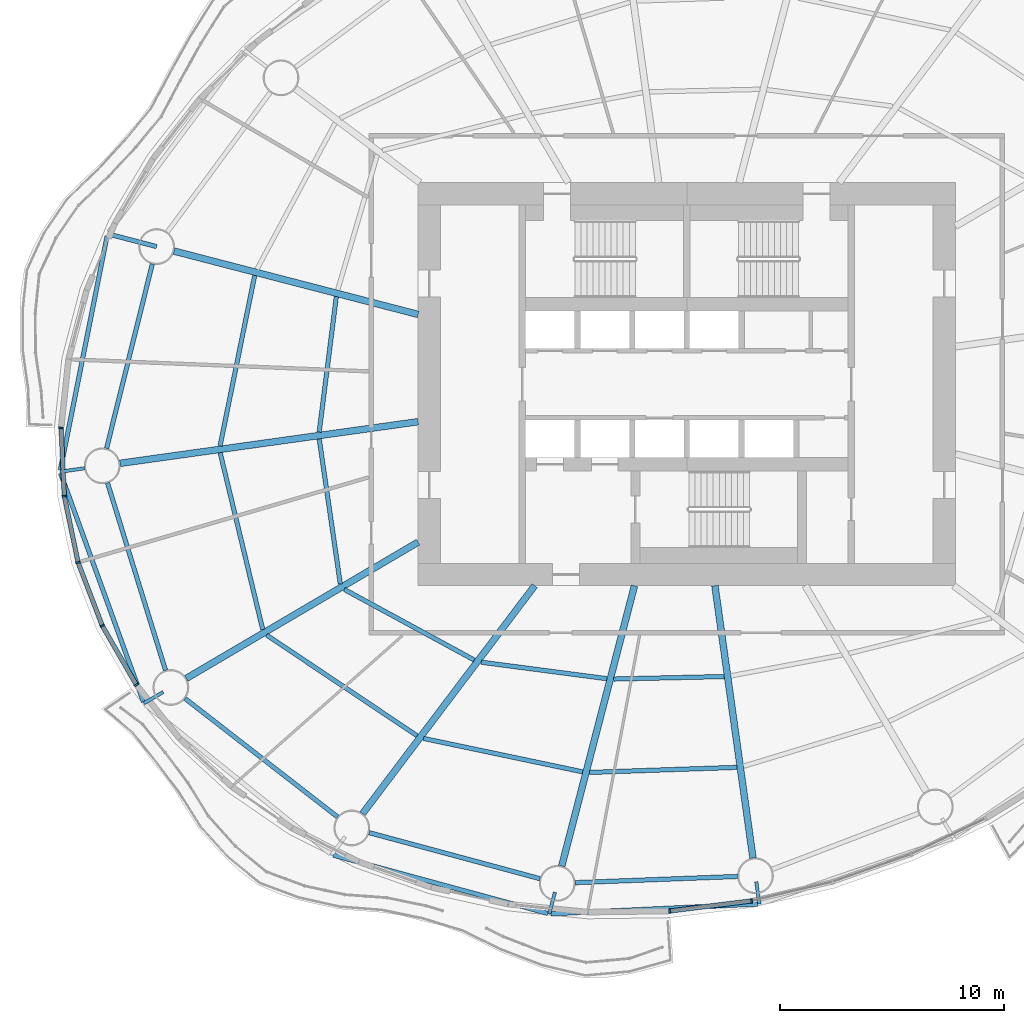
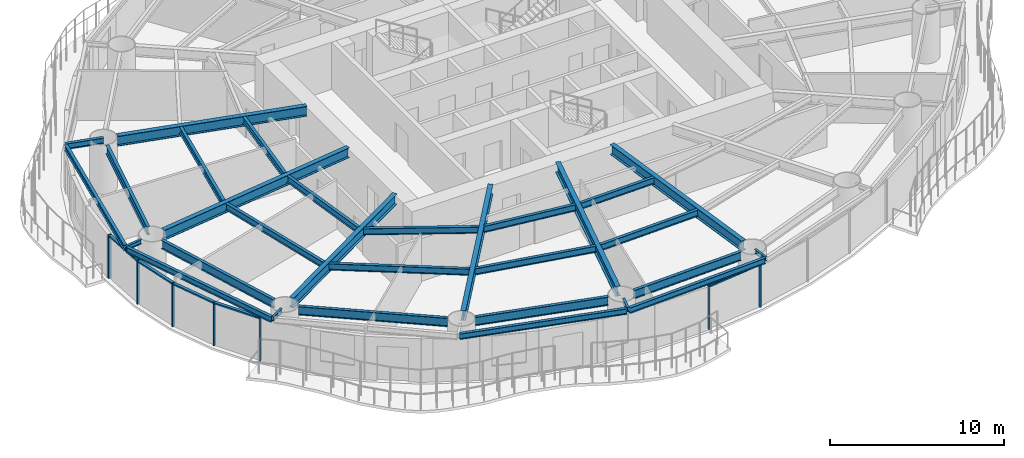
# One storey, part 2 of 16: 30 beams, 12 members, 6 elements without a shape of their own.
"""IFC4 building model written with IfcOpenShell, lengths in metres."""

from ifc_helpers import new_model, si_unit, direction, frame, origin, origin_2d, place, context, subcontext, project, spatial, rectangle, i_section, extrude, material, material_profile, profile_set, type_object, element, aggregate, save


model = new_model("IFC4")

# Units and contexts
model_context = context("Model", 3, precision=1e-05, world=origin(), true_north=direction((0.0, 1.0)))
body_context = subcontext(model_context, "Body", "Model", "MODEL_VIEW")
ifc_project = project(units=[si_unit("LENGTHUNIT", "METRE"), si_unit("AREAUNIT", "SQUARE_METRE"), si_unit("VOLUMEUNIT", "CUBIC_METRE"), si_unit("PLANEANGLEUNIT", "RADIAN"), si_unit("MASSUNIT", "GRAM", prefix="KILO")], contexts=[model_context])

# Site, building, storey
site_placement = place(None, origin())
site = spatial("IfcSite", under=ifc_project, at=site_placement, CompositionType="ELEMENT")
building_placement = place(site_placement, origin())
building = spatial("IfcBuilding", under=site, at=building_placement, Name="Vermilion Reach Broadcast Tower", CompositionType="ELEMENT")
storey_placement = place(building_placement, frame((0.0, 0.0, 99.39990234375)))
storey = spatial("IfcBuildingStorey", under=building, at=storey_placement, Name="L22", CompositionType="ELEMENT", Elevation=99.39990234375)

# Beams
ifc_material_1 = material(Name="Steel S355J2", Category="steel")
ifc_material_profile_1 = material_profile(ifc_material_1, i_section(OverallWidth=0.199951171875, OverallDepth=0.39990234375, WebThickness=0.008056640625, FlangeThickness=0.012939453125, at=origin_2d()), Name="S355J2 HN 400x200x8x13")
ifc_profile_set_1 = profile_set([ifc_material_profile_1], Name="Steel S355J2")
beam_type_1 = type_object("IfcBeamType", Name="EB2 HN 400x200x8x13", PredefinedType="BEAM", material=ifc_profile_set_1)
beam_1_placement = place(storey_placement, frame((-31.891845703125, 6.616943359375, 3.25), z_axis=(-0.195820891418, -0.980639678212, 0.0), x_axis=(0.980639678212, -0.195820891418, 0.0)))
element("IfcBeam", 1, at=beam_1_placement, inside=storey, type_object=beam_type_1, Name="Edge beam EB2-07", PredefinedType="BEAM", context=body_context, shape_type="SweptSolid", body=[
    extrude(i_section(OverallWidth=0.199951171875, OverallDepth=0.39990234375, WebThickness=0.008056640625, FlangeThickness=0.012939453125, at=origin_2d()), origin(), (0.0, 0.0, 1.0), 10.65478515625),
])
beam_2_placement = place(storey_placement, frame((-33.967529296875, -3.9814453125, 3.25), z_axis=(0.340702110411, -0.940171299265, 0.0), x_axis=(0.940171299265, 0.340702110411, 0.0)))
element("IfcBeam", 2, at=beam_2_placement, inside=storey, type_object=beam_type_1, Name="Edge beam EB2-08", PredefinedType="BEAM", context=body_context, shape_type="SweptSolid", body=[
    extrude(i_section(OverallWidth=0.199951171875, OverallDepth=0.39990234375, WebThickness=0.008056640625, FlangeThickness=0.012939453125, at=origin_2d()), origin(), (0.0, 0.0, 1.0), 10.84912109375),
])
beam_3_placement = place(storey_placement, frame((-21.786865234375, -21.036376953125, 3.25), z_axis=(0.965008720013, -0.262217791729, 0.0), x_axis=(0.262217791729, 0.965008720013, 0.0)))
element("IfcBeam", 3, at=beam_3_placement, inside=storey, type_object=beam_type_1, Name="Edge beam EB2-10", PredefinedType="BEAM", context=body_context, shape_type="SweptSolid", body=[
    extrude(i_section(OverallWidth=0.199951171875, OverallDepth=0.39990234375, WebThickness=0.008056640625, FlangeThickness=0.012939453125, at=origin_2d()), origin(), (0.0, 0.0, 1.0), 9.92138671875),
])
beam_4_placement = place(storey_placement, frame((-12.061767578125, -23.65380859375, 3.25), z_axis=(0.998890624316, 0.047090558003, 0.0), x_axis=(-0.047090558003, 0.998890624316, 0.0)))
element("IfcBeam", 4, at=beam_4_placement, inside=storey, type_object=beam_type_1, Name="Edge beam EB2-11", PredefinedType="BEAM", context=body_context, shape_type="SweptSolid", body=[
    extrude(i_section(OverallWidth=0.199951171875, OverallDepth=0.39990234375, WebThickness=0.008056640625, FlangeThickness=0.012939453125, at=origin_2d()), origin(), (0.0, 0.0, 1.0), 9.23876953125),
])
ifc_material_2 = material(Name="Steel S355J2", Category="steel")
ifc_material_profile_2 = material_profile(ifc_material_2, i_section(OverallWidth=0.300048828125, OverallDepth=0.699951171875, WebThickness=0.012939453125, FlangeThickness=0.02392578125, at=origin_2d()), Name="S355J2 HN 700x300x13x24")
ifc_profile_set_2 = profile_set([ifc_material_profile_2], Name="Steel S355J2")
beam_type_2 = type_object("IfcBeamType", Name="G2 HN 700x300x13x24", PredefinedType="BEAM", material=ifc_profile_set_2)
beam_5_placement = place(storey_placement, frame((-18.0, 3.114501953125, 3.10009765625), z_axis=(-0.967926079816, 0.2512351568, 0.0), x_axis=(-0.2512351568, -0.967926079816, 0.0)))
element("IfcBeam", 5, at=beam_5_placement, inside=storey, type_object=beam_type_2, Name="Girder G2-07", PredefinedType="BEAM", context=body_context, shape_type="SweptSolid", body=[
    extrude(i_section(OverallWidth=0.300048828125, OverallDepth=0.699951171875, WebThickness=0.012939453125, FlangeThickness=0.02392578125, at=origin_2d()), origin(), (0.0, 0.0, 1.0), 11.265625),
])
beam_6_placement = place(storey_placement, frame((-18.0, -1.67578125, 3.10009765625), z_axis=(-0.990389457618, -0.138306623986, 0.0), x_axis=(0.138306623986, -0.990389457618, 0.0)))
element("IfcBeam", 6, at=beam_6_placement, inside=storey, type_object=beam_type_2, Name="Girder G2-08", PredefinedType="BEAM", context=body_context, shape_type="SweptSolid", body=[
    extrude(i_section(OverallWidth=0.300048828125, OverallDepth=0.699951171875, WebThickness=0.012939453125, FlangeThickness=0.02392578125, at=origin_2d()), origin(), (0.0, 0.0, 1.0), 13.445556640625),
])
beam_7_placement = place(storey_placement, frame((-18.0, -7.054443359375, 3.10009765625), z_axis=(-0.862071616631, -0.506786471603, 0.0), x_axis=(0.506786471603, -0.862071616631, 0.0)))
element("IfcBeam", 7, at=beam_7_placement, inside=storey, type_object=beam_type_2, Name="Girder G2-09", PredefinedType="BEAM", context=body_context, shape_type="SweptSolid", body=[
    extrude(i_section(OverallWidth=0.300048828125, OverallDepth=0.699951171875, WebThickness=0.012939453125, FlangeThickness=0.02392578125, at=origin_2d()), origin(), (0.0, 0.0, 1.0), 12.01025390625),
])
beam_8_placement = place(storey_placement, frame((-12.794189453125, -9.0, 3.10009765625), z_axis=(-0.602519842365, -0.798103902733, 0.0), x_axis=(0.798103902733, -0.602519842365, 0.0)))
element("IfcBeam", 8, at=beam_8_placement, inside=storey, type_object=beam_type_2, Name="Girder G2-10", PredefinedType="BEAM", context=body_context, shape_type="SweptSolid", body=[
    extrude(i_section(OverallWidth=0.300048828125, OverallDepth=0.699951171875, WebThickness=0.012939453125, FlangeThickness=0.02392578125, at=origin_2d()), origin(), (0.0, 0.0, 1.0), 12.758544921875),
])
beam_9_placement = place(storey_placement, frame((-8.3359375, -9.0, 3.10009765625), z_axis=(-0.25121695316, -0.967930804575, 0.0), x_axis=(0.967930804575, -0.25121695316, 0.0)))
element("IfcBeam", 9, at=beam_9_placement, inside=storey, type_object=beam_type_2, Name="Girder G2-11", PredefinedType="BEAM", context=body_context, shape_type="SweptSolid", body=[
    extrude(i_section(OverallWidth=0.300048828125, OverallDepth=0.699951171875, WebThickness=0.012939453125, FlangeThickness=0.02392578125, at=origin_2d()), origin(), (0.0, 0.0, 1.0), 12.93505859375),
])
beam_10_placement = place(storey_placement, frame((-4.7431640625, -9.0, 3.10009765625), z_axis=(0.138317561234, -0.990387930184, 0.0), x_axis=(0.990387930184, 0.138317561234, 0.0)))
element("IfcBeam", 10, at=beam_10_placement, inside=storey, type_object=beam_type_2, Name="Girder G2-12", PredefinedType="BEAM", context=body_context, shape_type="SweptSolid", body=[
    extrude(i_section(OverallWidth=0.300048828125, OverallDepth=0.699951171875, WebThickness=0.012939453125, FlangeThickness=0.02392578125, at=origin_2d()), origin(), (0.0, 0.0, 1.0), 12.281494140625),
])
ifc_material_3 = material(Name="Steel S355J2", Category="steel")
ifc_material_profile_3 = material_profile(ifc_material_3, i_section(OverallWidth=0.199951171875, OverallDepth=0.39990234375, WebThickness=0.008056640625, FlangeThickness=0.012939453125, at=origin_2d()), Name="S355J2 HN 400x200x8x13")
ifc_profile_set_3 = profile_set([ifc_material_profile_3], Name="Steel S355J2")
beam_type_3 = type_object("IfcBeamType", Name="GC2 HN 400x200x8x13", PredefinedType="BEAM", material=ifc_profile_set_3)
beam_11_placement = place(storey_placement, frame((-29.6787109375, 6.145751953125, 3.25), z_axis=(-0.967923184333, 0.251246311873, 0.0), x_axis=(-0.251246311873, -0.967923184333, 0.0)))
element("IfcBeam", 11, at=beam_11_placement, inside=storey, type_object=beam_type_3, Name="Cantilever girder GC2-07", PredefinedType="BEAM", context=body_context, shape_type="SweptSolid", body=[
    extrude(i_section(OverallWidth=0.199951171875, OverallDepth=0.39990234375, WebThickness=0.008056640625, FlangeThickness=0.012939453125, at=origin_2d()), origin(), (0.0, 0.0, 1.0), 2.26611328125),
])
ifc_material_4 = material(Name="Steel S355J2", Category="steel")
ifc_material_profile_4 = material_profile(ifc_material_4, i_section(OverallWidth=0.14990234375, OverallDepth=0.300048828125, WebThickness=0.006591796875, FlangeThickness=0.009033203125, at=origin_2d()), Name="S355J2 HN 300x150x6.5x9")
ifc_profile_set_4 = profile_set([ifc_material_profile_4], Name="Steel S355J2")
beam_type_4 = type_object("IfcBeamType", Name="GS2 HN 300x150x6.5x9", PredefinedType="BEAM", material=ifc_profile_set_4)
beam_12_placement = place(storey_placement, frame((-32.901123046875, -3.7568359375, 3.300048828125), z_axis=(-0.990387276003, -0.138322245252, 0.0), x_axis=(0.138322245252, -0.990387276003, 0.0)))
element("IfcBeam", 12, at=beam_12_placement, inside=storey, type_object=beam_type_4, Name="Cantilever stub GS2-08", PredefinedType="BEAM", context=body_context, shape_type="SweptSolid", body=[
    extrude(i_section(OverallWidth=0.14990234375, OverallDepth=0.300048828125, WebThickness=0.006591796875, FlangeThickness=0.009033203125, at=origin_2d()), origin(), (0.0, 0.0, 1.0), 1.10302734375),
])
beam_13_placement = place(storey_placement, frame((-29.383056640625, -13.746337890625, 3.300048828125), z_axis=(-0.862153821816, -0.506646610102, 0.0), x_axis=(0.506646610102, -0.862153821816, 0.0)))
element("IfcBeam", 13, at=beam_13_placement, inside=storey, type_object=beam_type_4, Name="Cantilever stub GS2-09", PredefinedType="BEAM", context=body_context, shape_type="SweptSolid", body=[
    extrude(i_section(OverallWidth=0.14990234375, OverallDepth=0.300048828125, WebThickness=0.006591796875, FlangeThickness=0.009033203125, at=origin_2d()), origin(), (0.0, 0.0, 1.0), 1.0),
])
beam_14_placement = place(storey_placement, frame((-11.88916015625, -22.689697265625, 3.300048828125), z_axis=(-0.251258738033, -0.967919958758, 0.0), x_axis=(0.967919958758, -0.251258738033, 0.0)))
element("IfcBeam", 14, at=beam_14_placement, inside=storey, type_object=beam_type_4, Name="Cantilever stub GS2-11", PredefinedType="BEAM", context=body_context, shape_type="SweptSolid", body=[
    extrude(i_section(OverallWidth=0.14990234375, OverallDepth=0.300048828125, WebThickness=0.006591796875, FlangeThickness=0.009033203125, at=origin_2d()), origin(), (0.0, 0.0, 1.0), 0.999755859375),
])
beam_15_placement = place(storey_placement, frame((-2.896240234375, -22.224853515625, 3.300048828125), z_axis=(0.13817375644, -0.990408003315, 0.0), x_axis=(0.990408003315, 0.13817375644, 0.0)))
element("IfcBeam", 15, at=beam_15_placement, inside=storey, type_object=beam_type_4, Name="Cantilever stub GS2-12", PredefinedType="BEAM", context=body_context, shape_type="SweptSolid", body=[
    extrude(i_section(OverallWidth=0.14990234375, OverallDepth=0.300048828125, WebThickness=0.006591796875, FlangeThickness=0.009033203125, at=origin_2d()), origin(), (0.0, 0.0, 1.0), 1.0),
])
ifc_material_5 = material(Name="Steel S355J2", Category="steel")
ifc_material_profile_5 = material_profile(ifc_material_5, i_section(OverallWidth=0.199951171875, OverallDepth=0.60009765625, WebThickness=0.010986328125, FlangeThickness=0.01708984375, at=origin_2d()), Name="S355J2 HN 600x200x11x17")
ifc_profile_set_5 = profile_set([ifc_material_profile_5], Name="Steel S355J2")
beam_type_5 = type_object("IfcBeamType", Name="RB2 HN 600x200x11x17", PredefinedType="BEAM", material=ifc_profile_set_5)
beam_16_placement = place(storey_placement, frame((-29.871337890625, 5.369384765625, 3.150146484375), z_axis=(-0.240863809798, -0.970558924089, 0.0), x_axis=(0.970558924089, -0.240863809798, 0.0)))
element("IfcBeam", 16, at=beam_16_placement, inside=storey, type_object=beam_type_5, Name="Ring beam RB2-07", PredefinedType="BEAM", context=body_context, shape_type="SweptSolid", body=[
    extrude(i_section(OverallWidth=0.199951171875, OverallDepth=0.60009765625, WebThickness=0.010986328125, FlangeThickness=0.01708984375, at=origin_2d()), origin(), (0.0, 0.0, 1.0), 8.489013671875),
])
beam_17_placement = place(storey_placement, frame((-31.872314453125, -4.410400390625, 3.150146484375), z_axis=(0.295788439635, -0.95525347368, 0.0), x_axis=(0.95525347368, 0.295788439635, 0.0)))
element("IfcBeam", 17, at=beam_17_placement, inside=storey, type_object=beam_type_5, Name="Ring beam RB2-08", PredefinedType="BEAM", context=body_context, shape_type="SweptSolid", body=[
    extrude(i_section(OverallWidth=0.199951171875, OverallDepth=0.60009765625, WebThickness=0.010986328125, FlangeThickness=0.01708984375, at=origin_2d()), origin(), (0.0, 0.0, 1.0), 8.763916015625),
])
beam_18_placement = place(storey_placement, frame((-28.41162109375, -14.037109375, 3.150146484375), z_axis=(0.789825712432, -0.613331349257, 0.0), x_axis=(0.613331349257, 0.789825712432, 0.0)))
element("IfcBeam", 18, at=beam_18_placement, inside=storey, type_object=beam_type_5, Name="Ring beam RB2-09", PredefinedType="BEAM", context=body_context, shape_type="SweptSolid", body=[
    extrude(i_section(OverallWidth=0.199951171875, OverallDepth=0.60009765625, WebThickness=0.010986328125, FlangeThickness=0.01708984375, at=origin_2d()), origin(), (0.0, 0.0, 1.0), 8.63037109375),
])
beam_19_placement = place(storey_placement, frame((-20.19091796875, -20.029296875, 3.150146484375), z_axis=(0.965541463834, -0.260249268234, 0.0), x_axis=(0.260249268234, 0.965541463834, 0.0)))
element("IfcBeam", 19, at=beam_19_placement, inside=storey, type_object=beam_type_5, Name="Ring beam RB2-10", PredefinedType="BEAM", context=body_context, shape_type="SweptSolid", body=[
    extrude(i_section(OverallWidth=0.199951171875, OverallDepth=0.60009765625, WebThickness=0.010986328125, FlangeThickness=0.01708984375, at=origin_2d()), origin(), (0.0, 0.0, 1.0), 7.904541015625),
])
beam_20_placement = place(storey_placement, frame((-10.987060546875, -22.263916015625, 3.150146484375), z_axis=(0.999268558327, 0.038240663418, 0.0), x_axis=(-0.038240663418, 0.999268558327, 0.0)))
element("IfcBeam", 20, at=beam_20_placement, inside=storey, type_object=beam_type_5, Name="Ring beam RB2-11", PredefinedType="BEAM", context=body_context, shape_type="SweptSolid", body=[
    extrude(i_section(OverallWidth=0.199951171875, OverallDepth=0.60009765625, WebThickness=0.010986328125, FlangeThickness=0.01708984375, at=origin_2d()), origin(), (0.0, 0.0, 1.0), 7.259033203125),
])
ifc_material_6 = material(Name="Steel S355J2", Category="steel")
ifc_material_profile_6 = material_profile(ifc_material_6, i_section(OverallWidth=0.199951171875, OverallDepth=0.449951171875, WebThickness=0.009033203125, FlangeThickness=0.013916015625, at=origin_2d()), Name="S355J2 HN 450x200x9x14")
ifc_profile_set_6 = profile_set([ifc_material_profile_6], Name="Steel S355J2")
beam_type_6 = type_object("IfcBeamType", Name="SB2 HN 450x200x9x14", PredefinedType="BEAM", material=ifc_profile_set_6)
beam_21_placement = place(storey_placement, frame((-21.65380859375, 3.907958984375, 3.22509765625), z_axis=(-0.125557241128, -0.992086376885, 0.0), x_axis=(0.992086376885, -0.125557241128, 0.0)))
element("IfcBeam", 21, at=beam_21_placement, inside=storey, type_object=beam_type_6, Name="Secondary beam SB2-07-1", PredefinedType="BEAM", context=body_context, shape_type="SweptSolid", body=[
    extrude(i_section(OverallWidth=0.199951171875, OverallDepth=0.449951171875, WebThickness=0.009033203125, FlangeThickness=0.013916015625, at=origin_2d()), origin(), (0.0, 0.0, 1.0), 6.097900390625),
])
beam_22_placement = place(storey_placement, frame((-25.29931640625, 4.854248046875, 3.22509765625), z_axis=(-0.19906416804, -0.979986457561, 0.0), x_axis=(0.979986457561, -0.19906416804, 0.0)))
element("IfcBeam", 22, at=beam_22_placement, inside=storey, type_object=beam_type_6, Name="Secondary beam SB2-07-2", PredefinedType="BEAM", context=body_context, shape_type="SweptSolid", body=[
    extrude(i_section(OverallWidth=0.199951171875, OverallDepth=0.449951171875, WebThickness=0.009033203125, FlangeThickness=0.013916015625, at=origin_2d()), origin(), (0.0, 0.0, 1.0), 7.76953125),
])
beam_23_placement = place(storey_placement, frame((-22.417236328125, -2.444091796875, 3.22509765625), z_axis=(0.143973706518, -0.989581513485, 0.0), x_axis=(0.989581513485, 0.143973706518, 0.0)))
element("IfcBeam", 23, at=beam_23_placement, inside=storey, type_object=beam_type_6, Name="Secondary beam SB2-08-1", PredefinedType="BEAM", context=body_context, shape_type="SweptSolid", body=[
    extrude(i_section(OverallWidth=0.199951171875, OverallDepth=0.449951171875, WebThickness=0.009033203125, FlangeThickness=0.013916015625, at=origin_2d()), origin(), (0.0, 0.0, 1.0), 6.547119140625),
])
beam_24_placement = place(storey_placement, frame((-26.84228515625, -3.06201171875, 3.22509765625), z_axis=(0.234260568382, -0.972173845617, 0.0), x_axis=(0.972173845617, 0.234260568382, 0.0)))
element("IfcBeam", 24, at=beam_24_placement, inside=storey, type_object=beam_type_6, Name="Secondary beam SB2-08-2", PredefinedType="BEAM", context=body_context, shape_type="SweptSolid", body=[
    extrude(i_section(OverallWidth=0.199951171875, OverallDepth=0.449951171875, WebThickness=0.009033203125, FlangeThickness=0.013916015625, at=origin_2d()), origin(), (0.0, 0.0, 1.0), 8.123779296875),
])
beam_25_placement = place(storey_placement, frame((-21.29736328125, -9.1669921875, 3.22509765625), z_axis=(0.878713106774, -0.477350265512, 0.0), x_axis=(0.477350265512, 0.878713106774, 0.0)))
element("IfcBeam", 25, at=beam_25_placement, inside=storey, type_object=beam_type_6, Name="Secondary beam SB2-09-1", PredefinedType="BEAM", context=body_context, shape_type="SweptSolid", body=[
    extrude(i_section(OverallWidth=0.199951171875, OverallDepth=0.449951171875, WebThickness=0.009033203125, FlangeThickness=0.013916015625, at=origin_2d()), origin(), (0.0, 0.0, 1.0), 6.60888671875),
])
beam_26_placement = place(storey_placement, frame((-24.76416015625, -11.204833984375, 3.22509765625), z_axis=(0.830915400975, -0.556398774641, 0.0), x_axis=(0.556398774641, 0.830915400975, 0.0)))
element("IfcBeam", 26, at=beam_26_placement, inside=storey, type_object=beam_type_6, Name="Secondary beam SB2-09-2", PredefinedType="BEAM", context=body_context, shape_type="SweptSolid", body=[
    extrude(i_section(OverallWidth=0.199951171875, OverallDepth=0.449951171875, WebThickness=0.009033203125, FlangeThickness=0.013916015625, at=origin_2d()), origin(), (0.0, 0.0, 1.0), 8.087646484375),
])
beam_27_placement = place(storey_placement, frame((-15.185546875, -12.416748046875, 3.22509765625), z_axis=(0.991498686864, -0.130116693573, 0.0), x_axis=(0.130116693573, 0.991498686864, 0.0)))
element("IfcBeam", 27, at=beam_27_placement, inside=storey, type_object=beam_type_6, Name="Secondary beam SB2-10-1", PredefinedType="BEAM", context=body_context, shape_type="SweptSolid", body=[
    extrude(i_section(OverallWidth=0.199951171875, OverallDepth=0.449951171875, WebThickness=0.009033203125, FlangeThickness=0.013916015625, at=origin_2d()), origin(), (0.0, 0.0, 1.0), 5.66455078125),
])
beam_28_placement = place(storey_placement, frame((-17.7568359375, -15.822509765625, 3.22509765625), z_axis=(0.978631382549, -0.205622511148, 0.0), x_axis=(0.205622511148, 0.978631382549, 0.0)))
element("IfcBeam", 28, at=beam_28_placement, inside=storey, type_object=beam_type_6, Name="Secondary beam SB2-10-2", PredefinedType="BEAM", context=body_context, shape_type="SweptSolid", body=[
    extrude(i_section(OverallWidth=0.199951171875, OverallDepth=0.449951171875, WebThickness=0.009033203125, FlangeThickness=0.013916015625, at=origin_2d()), origin(), (0.0, 0.0, 1.0), 7.262939453125),
])
beam_29_placement = place(storey_placement, frame((-9.26318359375, -13.169921875, 3.22509765625), z_axis=(0.999742320425, 0.022700060602, 0.0), x_axis=(-0.022700060602, 0.999742320425, 0.0)))
element("IfcBeam", 29, at=beam_29_placement, inside=storey, type_object=beam_type_6, Name="Secondary beam SB2-11-1", PredefinedType="BEAM", context=body_context, shape_type="SweptSolid", body=[
    extrude(i_section(OverallWidth=0.199951171875, OverallDepth=0.449951171875, WebThickness=0.009033203125, FlangeThickness=0.013916015625, at=origin_2d()), origin(), (0.0, 0.0, 1.0), 4.9365234375),
])
beam_30_placement = place(storey_placement, frame((-10.345947265625, -17.34130859375, 3.22509765625), z_axis=(0.999404722387, 0.03449928797, 0.0), x_axis=(-0.03449928797, 0.999404722387, 0.0)))
element("IfcBeam", 30, at=beam_30_placement, inside=storey, type_object=beam_type_6, Name="Secondary beam SB2-11-2", PredefinedType="BEAM", context=body_context, shape_type="SweptSolid", body=[
    extrude(i_section(OverallWidth=0.199951171875, OverallDepth=0.449951171875, WebThickness=0.009033203125, FlangeThickness=0.013916015625, at=origin_2d()), origin(), (0.0, 0.0, 1.0), 6.58837890625),
])

# Curtain wall, member
ifc_material_7 = material(Name="Low-e laminated clear glass in aluminium frame", Category="aluminium")
curtain_wall_type = type_object("IfcCurtainWallType", Name="Slot curtain wall", PredefinedType="NOTDEFINED", material=ifc_material_7)
placement = place(storey_placement, origin())
curtain_wall_1 = element("IfcCurtainWall", 31, at=placement, inside=storey, type_object=curtain_wall_type, Name="Slot curtain wall L22 22", PredefinedType="NOTDEFINED")
ifc_material_8 = material(Name="Anodised aluminium", Category="aluminium")
ifc_material_profile_7 = material_profile(ifc_material_8, rectangle(XDim=0.199951171875, YDim=0.080078125, at=origin_2d()), Name="Slot mullion 80 x 200")
ifc_profile_set_7 = profile_set([ifc_material_profile_7], Name="Anodised aluminium")
member_type_1 = type_object("IfcMemberType", Name="Slot mullion 80 x 200", PredefinedType="MULLION", material=ifc_profile_set_7)
member_1_placement = place(storey_placement, frame((-33.9453125, -1.952880859375, 0.0), z_axis=(0.0, 0.0, 1.0), x_axis=(0.999531760255, -0.030598369932, 0.0)))
member_1 = element("IfcMember", 32, at=member_1_placement, type_object=member_type_1, Name="Slot mullion L22 22", PredefinedType="MULLION", context=body_context, shape_type="SweptSolid", body=[
    extrude(rectangle(XDim=0.199951171875, YDim=0.080078125, at=origin_2d()), origin(), (0.0, 0.0, 1.0), 3.050048828125),
])

curtain_wall_2 = element("IfcCurtainWall", 33, at=placement, inside=storey, type_object=curtain_wall_type, Name="Slot curtain wall L22 23", PredefinedType="NOTDEFINED")
member_2_placement = place(storey_placement, frame((-33.802978515625, -4.99951171875, 0.0), z_axis=(0.0, 0.0, 1.0), x_axis=(0.992090348938, 0.125525852095, 0.0)))
member_2 = element("IfcMember", 34, at=member_2_placement, type_object=member_type_1, Name="Slot mullion L22 23", PredefinedType="MULLION", context=body_context, shape_type="SweptSolid", body=[
    extrude(rectangle(XDim=0.199951171875, YDim=0.080078125, at=origin_2d()), origin(), (0.0, 0.0, 1.0), 3.050048828125),
])

curtain_wall_3 = element("IfcCurtainWall", 35, at=placement, inside=storey, type_object=curtain_wall_type, Name="Slot curtain wall L22 24", PredefinedType="NOTDEFINED")
member_3_placement = place(storey_placement, frame((-33.187255859375, -7.96044921875, 0.0), z_axis=(0.0, 0.0, 1.0), x_axis=(0.959707255615, 0.28100175003, 0.0)))
member_3 = element("IfcMember", 36, at=member_3_placement, type_object=member_type_1, Name="Slot mullion L22 24", PredefinedType="MULLION", context=body_context, shape_type="SweptSolid", body=[
    extrude(rectangle(XDim=0.199951171875, YDim=0.080078125, at=origin_2d()), origin(), (0.0, 0.0, 1.0), 3.050048828125),
])

# Curtain wall, members
curtain_wall_4 = element("IfcCurtainWall", 37, at=placement, inside=storey, type_object=curtain_wall_type, Name="Slot curtain wall L22 25", PredefinedType="NOTDEFINED")
member_4_placement = place(storey_placement, frame((-32.108642578125, -10.78564453125, 0.0), z_axis=(0.0, 0.0, 1.0), x_axis=(0.903119003714, 0.429390341217, 0.0)))
member_4 = element("IfcMember", 38, at=member_4_placement, type_object=member_type_1, Name="Slot mullion L22 25", PredefinedType="MULLION", context=body_context, shape_type="SweptSolid", body=[
    extrude(rectangle(XDim=0.199951171875, YDim=0.080078125, at=origin_2d()), origin(), (0.0, 0.0, 1.0), 3.050048828125),
])
member_5_placement = place(storey_placement, frame((-30.585205078125, -13.42822265625, 0.0), z_axis=(0.0, 0.0, 1.0), x_axis=(0.825178212403, 0.564872479216, 0.0)))
member_5 = element("IfcMember", 39, at=member_5_placement, type_object=member_type_1, Name="Slot mullion L22 26", PredefinedType="MULLION", context=body_context, shape_type="SweptSolid", body=[
    extrude(rectangle(XDim=0.199951171875, YDim=0.080078125, at=origin_2d()), origin(), (0.0, 0.0, 1.0), 3.050048828125),
])

# Curtain wall, member
curtain_wall_5 = element("IfcCurtainWall", 40, at=placement, inside=storey, type_object=curtain_wall_type, Name="Slot curtain wall L22 34", PredefinedType="NOTDEFINED")
member_6_placement = place(storey_placement, frame((-6.76416015625, -23.530029296875, 0.0), z_axis=(0.0, 0.0, 1.0), x_axis=(-0.068346083357, 0.997661672557, 0.0)))
member_6 = element("IfcMember", 41, at=member_6_placement, type_object=member_type_1, Name="Slot mullion L22 34", PredefinedType="MULLION", context=body_context, shape_type="SweptSolid", body=[
    extrude(rectangle(XDim=0.199951171875, YDim=0.080078125, at=origin_2d()), origin(), (0.0, 0.0, 1.0), 3.050048828125),
])

curtain_wall_6 = element("IfcCurtainWall", 42, at=placement, inside=storey, type_object=curtain_wall_type, Name="Slot curtain wall L22 35", PredefinedType="NOTDEFINED")
member_7_placement = place(storey_placement, frame((-3.103271484375, -23.076416015625, 0.0), z_axis=(0.0, 0.0, 1.0), x_axis=(-0.176295676476, 0.98433725646, 0.0)))
member_7 = element("IfcMember", 43, at=member_7_placement, type_object=member_type_1, Name="Slot mullion L22 35", PredefinedType="MULLION", context=body_context, shape_type="SweptSolid", body=[
    extrude(rectangle(XDim=0.199951171875, YDim=0.080078125, at=origin_2d()), origin(), (0.0, 0.0, 1.0), 3.050048828125),
])
aggregate(curtain_wall_6, [member_7])

# Member
ifc_material_9 = material(Name="Anodised aluminium", Category="aluminium")
ifc_material_profile_8 = material_profile(ifc_material_9, rectangle(XDim=0.199951171875, YDim=0.10009765625, at=origin_2d()), Name="Slot transom 200 x 100")
ifc_profile_set_8 = profile_set([ifc_material_profile_8], Name="Anodised aluminium")
member_type_2 = type_object("IfcMemberType", Name="Slot transom 200 x 100", PredefinedType="USERDEFINED", material=ifc_profile_set_8)
member_8_placement = place(storey_placement, frame((-33.943359375, -1.99267578125, 3.0), z_axis=(0.046686468234, -0.998909592347, 0.0), x_axis=(0.998909592347, 0.046686468234, 0.0)))
member_8 = element("IfcMember", 44, at=member_8_placement, type_object=member_type_2, Name="Slot transom L22 22.1", ObjectType="TRANSOM", PredefinedType="USERDEFINED", context=body_context, shape_type="SweptSolid", body=[
    extrude(rectangle(XDim=0.199951171875, YDim=0.10009765625, at=origin_2d()), origin(), (0.0, 0.0, 1.0), 2.97021484375),
])

aggregate(curtain_wall_1, [member_1, member_8])

member_9_placement = place(storey_placement, frame((-33.794677734375, -5.038818359375, 3.0), z_axis=(0.20358996084, -0.979056243453, 0.0), x_axis=(0.979056243453, 0.20358996084, 0.0)))
member_9 = element("IfcMember", 45, at=member_9_placement, type_object=member_type_2, Name="Slot transom L22 23.1", ObjectType="TRANSOM", PredefinedType="USERDEFINED", context=body_context, shape_type="SweptSolid", body=[
    extrude(rectangle(XDim=0.199951171875, YDim=0.10009765625, at=origin_2d()), origin(), (0.0, 0.0, 1.0), 2.944091796875),
])

aggregate(curtain_wall_2, [member_2, member_9])

member_10_placement = place(storey_placement, frame((-33.1728515625, -7.997802734375, 3.0), z_axis=(0.356588393011, -0.93426158969, 0.0), x_axis=(0.93426158969, 0.356588393011, 0.0)))
member_10 = element("IfcMember", 46, at=member_10_placement, type_object=member_type_2, Name="Slot transom L22 24.1", ObjectType="TRANSOM", PredefinedType="USERDEFINED", context=body_context, shape_type="SweptSolid", body=[
    extrude(rectangle(XDim=0.199951171875, YDim=0.10009765625, at=origin_2d()), origin(), (0.0, 0.0, 1.0), 2.944091796875),
])

aggregate(curtain_wall_3, [member_3, member_10])

member_11_placement = place(storey_placement, frame((-32.088623046875, -10.8203125, 3.0), z_axis=(0.499428303955, -0.866355221147, 0.0), x_axis=(0.866355221147, 0.499428303955, 0.0)))
member_11 = element("IfcMember", 47, at=member_11_placement, type_object=member_type_2, Name="Slot transom L22 25.1", ObjectType="TRANSOM", PredefinedType="USERDEFINED", context=body_context, shape_type="SweptSolid", body=[
    extrude(rectangle(XDim=0.199951171875, YDim=0.10009765625, at=origin_2d()), origin(), (0.0, 0.0, 1.0), 2.97021484375),
])

aggregate(curtain_wall_4, [member_4, member_5, member_11])

member_12_placement = place(storey_placement, frame((-6.724365234375, -23.525146484375, 3.0), z_axis=(0.992407433498, 0.122993845122, 0.0), x_axis=(-0.122993845122, 0.992407433498, 0.0)))
member_12 = element("IfcMember", 48, at=member_12_placement, type_object=member_type_2, Name="Slot transom L22 34.1", ObjectType="TRANSOM", PredefinedType="USERDEFINED", context=body_context, shape_type="SweptSolid", body=[
    extrude(rectangle(XDim=0.199951171875, YDim=0.10009765625, at=origin_2d()), origin(), (0.0, 0.0, 1.0), 3.608642578125),
])

aggregate(curtain_wall_5, [member_6, member_12])

save(model, "model.ifc")
